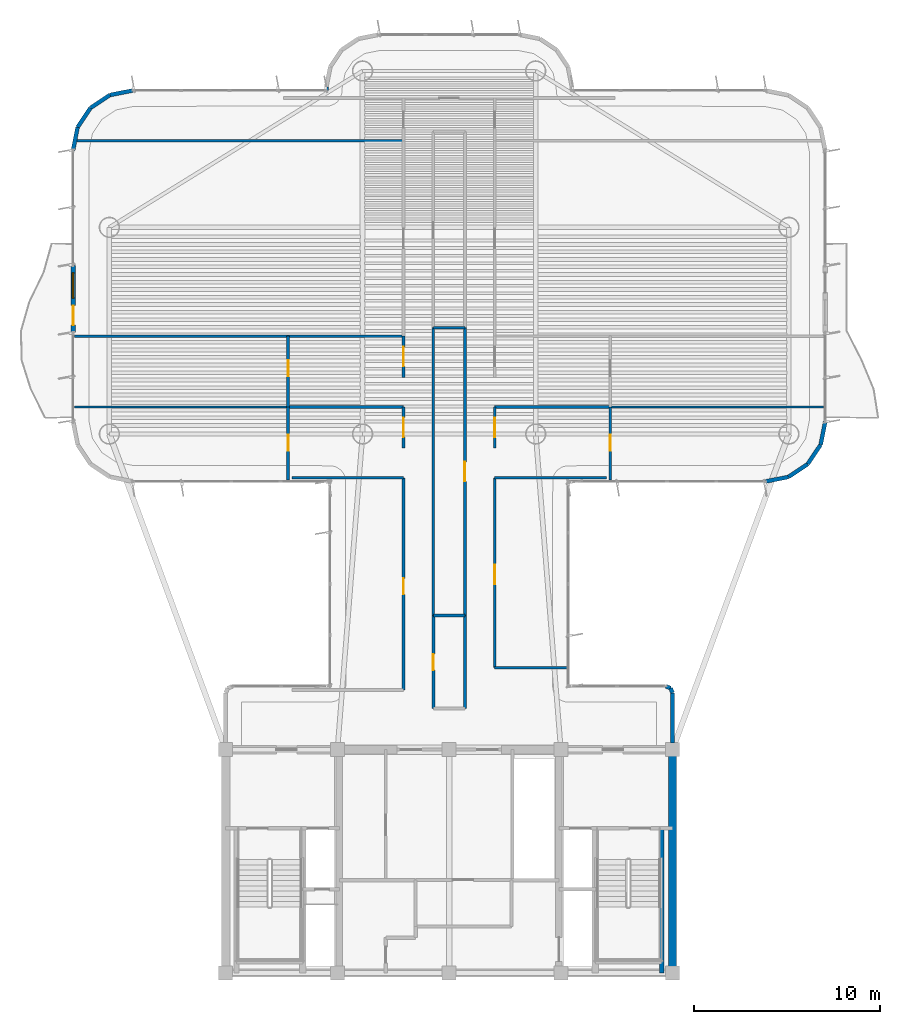
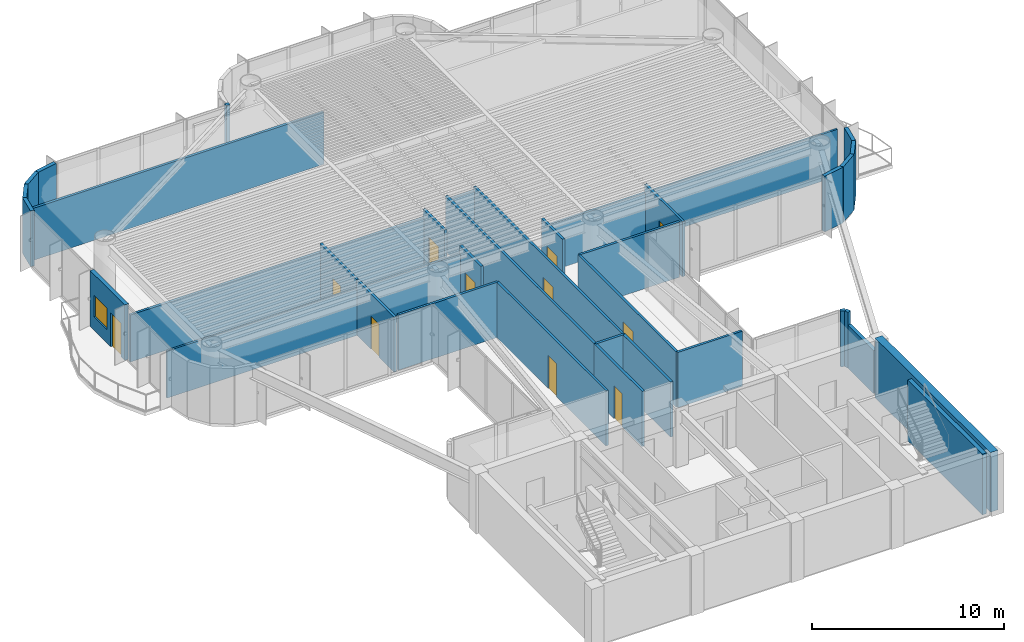
# One storey, part 10 of 14: 38 walls, 11 doors, 1 window, 12 openings.
"""IFC4 building model written with IfcOpenShell, lengths in metres."""

from ifc_helpers import new_model, si_unit, direction, frame, frame_2d, origin, origin_2d, place, context, subcontext, project, spatial, rectangle, extrude, source, transform, mapped, material, layer, layer_set, type_object, element, fill, save


model = new_model("IFC4")

# Units and contexts
model_context = context("Model", 3, precision=1e-05, world=origin(), true_north=direction((0.0, 1.0)))
body_context = subcontext(model_context, "Body", "Model", "MODEL_VIEW")
ifc_project = project(units=[si_unit("LENGTHUNIT", "METRE"), si_unit("AREAUNIT", "SQUARE_METRE"), si_unit("VOLUMEUNIT", "CUBIC_METRE"), si_unit("PLANEANGLEUNIT", "RADIAN"), si_unit("MASSUNIT", "GRAM", prefix="KILO")], contexts=[model_context])

# Site, building, storey
site_placement = place(None, origin())
site = spatial("IfcSite", under=ifc_project, at=site_placement, CompositionType="ELEMENT")
building_placement = place(site_placement, origin())
building = spatial("IfcBuilding", under=site, at=building_placement, Name="Brelvock Crest Care Tower", CompositionType="ELEMENT")
storey_placement = place(building_placement, frame((0.0, 0.0, 175.320068359375)))
storey = spatial("IfcBuildingStorey", under=building, at=storey_placement, Name="L44", CompositionType="ELEMENT", Elevation=175.320068359375)

# Walls
ifc_material_1 = material(Name="Concrete S65 (65 MPa)", Category="concrete")
ifc_layer_1 = layer(ifc_material_1, 0.449951171875, Name="WL-CS3")
ifc_layer_set_1 = layer_set([ifc_layer_1], Name="Concrete S65 (65 MPa)")
wall_type_1 = type_object("IfcWallType", Name="WL-CS3", PredefinedType="SHEAR", material=ifc_layer_set_1)
wall_1_placement = place(storey_placement, frame((48.0, 18.0, 0.0), z_axis=(0.0, 0.0, 1.0), x_axis=(0.0, -1.0, 0.0)))
element("IfcWall", 1, at=wall_1_placement, inside=storey, type_object=wall_type_1, Name="L44 Core East Shear Wall", PredefinedType="SHEAR", context=body_context, shape_type="SweptSolid", body=[
    extrude(rectangle(XDim=12.0, YDim=0.449951171875, at=frame_2d((6.0, 0.0))), origin(), (0.0, 0.0, 1.0), 3.780029296875),
])
ifc_material_2 = material(Name="Concrete S80 (80 MPa)", Category="concrete")
ifc_layer_2 = layer(ifc_material_2, 0.25, Name="WL-CS6")
ifc_layer_set_2 = layer_set([ifc_layer_2], Name="Concrete S80 (80 MPa)")
wall_type_2 = type_object("IfcWallType", Name="WL-CS6", PredefinedType="SHEAR", material=ifc_layer_set_2)
wall_2_placement = place(storey_placement, frame((47.419921875, 6.0, 0.0), z_axis=(0.0, 0.0, 1.0), x_axis=(0.0, 1.0, 0.0)))
element("IfcWall", 2, at=wall_2_placement, inside=storey, type_object=wall_type_2, Name="L44 Core Stair ST-2 East Shear Wall", PredefinedType="SHEAR", context=body_context, shape_type="SweptSolid", body=[
    extrude(rectangle(XDim=7.780029296875, YDim=0.25, at=frame_2d((3.89013671875, 0.0))), origin(), (0.0, 0.0, 1.0), 3.849853515625),
])

# Wall, openings, door, window
ifc_material_3 = material(Name="Precast concrete N40 (40 MPa)", Category="concrete")
ifc_layer_3 = layer(ifc_material_3, 0.239990234375, Name="WL-EX1")
ifc_layer_set_3 = layer_set([ifc_layer_3], Name="Precast concrete N40 (40 MPa)")
wall_type_3 = type_object("IfcWallType", Name="WL-EX1", PredefinedType="SOLIDWALL", material=ifc_layer_set_3)
wall_3_placement = place(storey_placement, frame((15.800048828125, 40.39990234375, 0.0), z_axis=(0.0, 0.0, 1.0), x_axis=(0.0, 1.0, 0.0)))
wall_3 = element("IfcWall", 3, at=wall_3_placement, inside=storey, type_object=wall_type_3, Name="L44 Exterior Spandrel Wall WL-BAL-L44-W", PredefinedType="SOLIDWALL", context=body_context, shape_type="SweptSolid", body=[
    extrude(rectangle(XDim=3.60009765625, YDim=0.239990234375, at=frame_2d((1.800048828125, 0.0))), origin(), (0.0, 0.0, 1.0), 3.530029296875),
])
opening_1_placement = place(wall_3_placement, frame((0.39990234375, 0.0, 0.0)))
opening_1 = element("IfcOpeningElement", 4, at=opening_1_placement, cuts=wall_3, Name="Opening BD-1", PredefinedType="OPENING", context=body_context, shape_type="SweptSolid", body=[
    extrude(rectangle(XDim=1.050048828125, YDim=2.14990234375, at=origin_2d()), frame((0.52490234375, 0.1298828125, 1.074951171875), z_axis=(0.0, -1.0, 0.0), x_axis=(1.0, 0.0, 0.0)), (0.0, 0.0, 1.0), 0.260009765625),
])
opening_2_placement = place(wall_3_placement, frame((1.85009765625, 0.0, 0.85009765625)))
opening_2 = element("IfcOpeningElement", 5, at=opening_2_placement, cuts=wall_3, Name="Opening W-01", PredefinedType="OPENING", context=body_context, shape_type="SweptSolid", body=[
    extrude(rectangle(XDim=1.35009765625, YDim=1.35009765625, at=origin_2d()), frame((0.675048828125, 0.1298828125, 0.675048828125), z_axis=(0.0, -1.0, 0.0), x_axis=(1.0, 0.0, 0.0)), (0.0, 0.0, 1.0), 0.260009765625),
])
ifc_material_4 = material(Name="Dark Glass Double Glazed Low-E", Category="glass")
door_type_1 = type_object("IfcDoorType", Name="DR-BAL1", OperationType="NOTDEFINED", PredefinedType="DOOR", material=ifc_material_4)
shared_shape_1 = source(origin(), body_context, "Body", "SweptSolid", [
    extrude(rectangle(XDim=1.050048828125, YDim=2.14990234375, at=origin_2d()), frame((0.52490234375, 0.02490234375, 1.074951171875), z_axis=(0.0, -1.0, 0.0), x_axis=(1.0, 0.0, 0.0)), (0.0, 0.0, 1.0), 0.050048828125),
])
door_1_placement = place(opening_1_placement, origin())
door_1 = element("IfcDoor", 6, at=door_1_placement, inside=storey, type_object=door_type_1, Name="L44 W Wave Balcony Glazed Door", OperationType="SINGLE_SWING_LEFT", OverallHeight=2.14990234375, OverallWidth=1.050048828125, PredefinedType="DOOR", context=body_context, shape_type="MappedRepresentation", body=[
    mapped(shared_shape_1, transform((0.0, 0.0, 0.0), x_axis=(1.0, 0.0, 0.0), y_axis=(0.0, 1.0, 0.0), z_axis=(0.0, 0.0, 1.0), scale=1.0)),
])
fill(opening_1, door_1)
window_type = type_object("IfcWindowType", Name="WN-EX1", PartitioningType="SINGLE_PANEL", PredefinedType="WINDOW", material=ifc_material_4)
shared_shape_2 = source(origin(), body_context, "Body", "SweptSolid", [
    extrude(rectangle(XDim=1.35009765625, YDim=1.35009765625, at=origin_2d()), frame((0.675048828125, 0.030029296875, 0.675048828125), z_axis=(0.0, -1.0, 0.0), x_axis=(1.0, 0.0, 0.0)), (0.0, 0.0, 1.0), 0.06005859375),
])
window_placement = place(opening_2_placement, origin())
window = element("IfcWindow", 7, at=window_placement, inside=storey, type_object=window_type, Name="L44 W Suite Casement Window", OverallHeight=1.35009765625, OverallWidth=1.35009765625, PartitioningType="SINGLE_PANEL", PredefinedType="WINDOW", context=body_context, shape_type="MappedRepresentation", body=[
    mapped(shared_shape_2, transform((0.0, 0.0, 0.0), x_axis=(1.0, 0.0, 0.0), y_axis=(0.0, 1.0, 0.0), z_axis=(0.0, 0.0, 1.0), scale=1.0)),
])
fill(opening_2, window)

# Walls
ifc_layer_4 = layer(ifc_material_3, 0.215087890625, Name="WL-EX2")
ifc_layer_set_4 = layer_set([ifc_layer_4], Name="Precast concrete N40 (40 MPa)")
wall_type_4 = type_object("IfcWallType", Name="WL-EX2", PredefinedType="SOLIDWALL", material=ifc_layer_set_4)
wall_4_placement = place(storey_placement, frame((47.8974609375, 21.297607421875, 0.0), z_axis=(0.0, 0.0, 1.0), x_axis=(0.382673670509, -0.923883575944, 0.0)))
element("IfcWall", 8, at=wall_4_placement, inside=storey, type_object=wall_type_4, Name="L44 Rounded Corner Wall 00", PredefinedType="SOLIDWALL", context=body_context, shape_type="SweptSolid", body=[
    extrude(rectangle(XDim=0.26806640625, YDim=0.215087890625, at=frame_2d((0.134033203125, 0.0))), origin(), (0.0, 0.0, 1.0), 3.530029296875),
])
wall_5_placement = place(storey_placement, frame((48.0, 21.050048828125, 0.0), z_axis=(0.0, 0.0, 1.0), x_axis=(0.0, -1.0, 0.0)))
element("IfcWall", 9, at=wall_5_placement, inside=storey, type_object=wall_type_4, Name="L44 Rounded Corner Wall 01", PredefinedType="SOLIDWALL", context=body_context, shape_type="SweptSolid", body=[
    extrude(rectangle(XDim=2.695068359375, YDim=0.215087890625, at=frame_2d((1.34765625, 0.0))), origin(), (0.0, 0.0, 1.0), 2.718017578125),
])
for number, where, z_axis, x_axis, name in (
    (10, (15.800048828125, 50.199951171875, 0.0), (0.0, 0.0, 1.0), (0.195138390419, 0.980775717779, 0.0), "L44 Rounded Corner Wall 18"),
    (11, (16.043701171875, 51.424560546875, 0.0), (0.0, 0.0, 1.0), (0.555557312883, 0.831478245117, 0.0), "L44 Rounded Corner Wall 19"),
    (12, (16.7373046875, 52.462646484375, 0.0), (0.0, 0.0, 1.0), (0.831387912822, 0.555692485475, 0.0), "L44 Rounded Corner Wall 20"),
    (13, (17.775390625, 53.156494140625, 0.0), (0.0, 0.0, 1.0), (0.980813122964, 0.194950295773, 0.0), "L44 Rounded Corner Wall 21"),
):
    element("IfcWall", number, at=place(storey_placement, frame(where, z_axis=z_axis, x_axis=x_axis)), inside=storey, type_object=wall_type_4, Name=name, PredefinedType="SOLIDWALL", context=body_context, shape_type="SweptSolid", body=[
        extrude(rectangle(XDim=1.24853515625, YDim=0.215087890625, at=frame_2d((0.624267578125, 0.0))), origin(), (0.0, 0.0, 1.0), 3.530029296875),
    ])
wall_6_placement = place(storey_placement, frame((29.39990234375, 53.39990234375, 0.0), z_axis=(0.0, 0.0, 1.0), x_axis=(0.0, 1.0, 0.0)))
element("IfcWall", 14, at=wall_6_placement, inside=storey, type_object=wall_type_4, Name="L44 Rounded Corner Wall 23", PredefinedType="SOLIDWALL", context=body_context, shape_type="SweptSolid", body=[
    extrude(rectangle(XDim=0.2001953125, YDim=0.215087890625, at=frame_2d((0.10009765625, 0.0))), origin(), (0.0, 0.0, 1.0), 3.530029296875),
])
for number, where, z_axis, x_axis, name in (
    (15, (56.199951171875, 35.60009765625, 0.0), (0.0, 0.0, 1.0), (-0.195138390419, -0.980775717779, 0.0), "L44 Rounded Corner Wall 40"),
    (16, (55.956298828125, 34.37548828125, 0.0), (0.0, 0.0, 1.0), (-0.555557312883, -0.831478245117, 0.0), "L44 Rounded Corner Wall 41"),
    (17, (55.2626953125, 33.33740234375, 0.0), (0.0, 0.0, 1.0), (-0.831387912822, -0.555692485475, 0.0), "L44 Rounded Corner Wall 42"),
    (18, (54.224609375, 32.6435546875, 0.0), (0.0, 0.0, 1.0), (-0.980775717779, -0.195138390419, 0.0), "L44 Rounded Corner Wall 43"),
):
    element("IfcWall", number, at=place(storey_placement, frame(where, z_axis=z_axis, x_axis=x_axis)), inside=storey, type_object=wall_type_4, Name=name, PredefinedType="SOLIDWALL", context=body_context, shape_type="SweptSolid", body=[
        extrude(rectangle(XDim=1.24853515625, YDim=0.215087890625, at=frame_2d((0.624267578125, 0.0))), origin(), (0.0, 0.0, 1.0), 3.530029296875),
    ])
wall_7_placement = place(storey_placement, frame((47.64990234375, 21.39990234375, 0.0), z_axis=(0.0, 0.0, 1.0), x_axis=(0.924205486139, -0.381895560841, 0.0)))
element("IfcWall", 19, at=wall_7_placement, inside=storey, type_object=wall_type_4, Name="L44 Rounded Corner Wall 47", PredefinedType="SOLIDWALL", context=body_context, shape_type="SweptSolid", body=[
    extrude(rectangle(XDim=0.267822265625, YDim=0.215087890625, at=frame_2d((0.1337890625, 0.0))), origin(), (0.0, 0.0, 1.0), 3.530029296875),
])
ifc_material_5 = material(Name="Masonry Blockwork Acoustic Partition", Category="masonry")
ifc_layer_5 = layer(ifc_material_5, 0.14990234375, Name="WL-INT1")
ifc_layer_set_5 = layer_set([ifc_layer_5], Name="Masonry Blockwork Acoustic Partition")
wall_type_5 = type_object("IfcWallType", Name="WL-INT1", PredefinedType="PARTITIONING", material=ifc_layer_set_5)
wall_8_placement = place(storey_placement, frame((38.449951171875, 22.39990234375, 0.0), z_axis=(0.0, 0.0, 1.0), x_axis=(1.0, 0.0, 0.0)))
element("IfcWall", 20, at=wall_8_placement, inside=storey, type_object=wall_type_5, Name="L44 Interior Wall WL-BX-L44-THRE-S", PredefinedType="PARTITIONING", context=body_context, shape_type="SweptSolid", body=[
    extrude(rectangle(XDim=3.8701171875, YDim=0.14990234375, at=frame_2d((1.93505859375, 0.0))), origin(), (0.0, 0.0, 1.0), 3.5),
])
wall_9_placement = place(storey_placement, frame((27.55712890625, 32.60009765625, 0.0), z_axis=(0.0, 0.0, 1.0), x_axis=(1.0, 0.0, 0.0)))
element("IfcWall", 21, at=wall_9_placement, inside=storey, type_object=wall_type_5, Name="L44 Interior Wall WL-BX-L44-CS-WR1A-S", PredefinedType="PARTITIONING", context=body_context, shape_type="SweptSolid", body=[
    extrude(rectangle(XDim=5.992919921875, YDim=0.14990234375, at=frame_2d((2.99658203125, 0.0))), origin(), (0.0, 0.0, 1.0), 3.5),
])
wall_10_placement = place(storey_placement, frame((38.449951171875, 32.60009765625, 0.0), z_axis=(0.0, 0.0, 1.0), x_axis=(1.0, 0.0, 0.0)))
element("IfcWall", 22, at=wall_10_placement, inside=storey, type_object=wall_type_5, Name="L44 Interior Wall WL-BX-L44-CS-ER1A-S", PredefinedType="PARTITIONING", context=body_context, shape_type="SweptSolid", body=[
    extrude(rectangle(XDim=5.993408203125, YDim=0.14990234375, at=frame_2d((2.99658203125, 0.0))), origin(), (0.0, 0.0, 1.0), 3.5),
])
for number, where, z_axis, x_axis, name in (
    (23, (27.35009765625, 36.40087890625, 0.0), (0.0, 0.0, 1.0), (1.0, 0.0, 0.0), "L44 Interior Wall WL-BX-L44-CS-WR1A-N"),
    (24, (38.449951171875, 36.40087890625, 0.0), (0.0, 0.0, 1.0), (1.0, 0.0, 0.0), "L44 Interior Wall WL-BX-L44-CS-ER1A-N"),
):
    element("IfcWall", number, at=place(storey_placement, frame(where, z_axis=z_axis, x_axis=x_axis)), inside=storey, type_object=wall_type_5, Name=name, PredefinedType="PARTITIONING", context=body_context, shape_type="SweptSolid", body=[
        extrude(rectangle(XDim=6.199951171875, YDim=0.14990234375, at=frame_2d((3.10009765625, 0.0))), origin(), (0.0, 0.0, 1.0), 2.98193359375),
    ])
wall_11_placement = place(storey_placement, frame((15.8798828125, 40.201904296875, 0.0), z_axis=(0.0, 0.0, 1.0), x_axis=(1.0, 0.0, 0.0)))
element("IfcWall", 25, at=wall_11_placement, inside=storey, type_object=wall_type_5, Name="L44 Interior Wall WL-BX-L44-WRC-S", PredefinedType="PARTITIONING", context=body_context, shape_type="SweptSolid", body=[
    extrude(rectangle(XDim=17.670166015625, YDim=0.14990234375, at=frame_2d((8.8349609375, 0.0))), origin(), (0.0, 0.0, 1.0), 2.98193359375),
])
wall_12_placement = place(storey_placement, frame((35.14990234375, 40.659912109375, 0.0), z_axis=(0.0, 0.0, 1.0), x_axis=(1.0, 0.0, 0.0)))
element("IfcWall", 26, at=wall_12_placement, inside=storey, type_object=wall_type_5, Name="L44 Interior Wall WL-BX-L44-ISKT-S", PredefinedType="PARTITIONING", context=body_context, shape_type="SweptSolid", body=[
    extrude(rectangle(XDim=1.7001953125, YDim=0.14990234375, at=frame_2d((0.85009765625, 0.0))), origin(), (0.0, 0.0, 1.0), 3.259033203125),
])
wall_13_placement = place(storey_placement, frame((15.98095703125, 50.699951171875, 0.0), z_axis=(0.0, 0.0, 1.0), x_axis=(1.0, 0.0, 0.0)))
element("IfcWall", 27, at=wall_13_placement, inside=storey, type_object=wall_type_5, Name="L44 Interior Wall WL-BX-L44-NALW-S", PredefinedType="PARTITIONING", context=body_context, shape_type="SweptSolid", body=[
    extrude(rectangle(XDim=17.569091796875, YDim=0.14990234375, at=frame_2d((8.78466796875, 0.0))), origin(), (0.0, 0.0, 1.0), 3.307861328125),
])

# Wall, opening, door
wall_14_placement = place(storey_placement, frame((27.35009765625, 32.47998046875, 0.0), z_axis=(0.0, 0.0, 1.0), x_axis=(0.0, 1.0, 0.0)))
wall_14 = element("IfcWall", 28, at=wall_14_placement, inside=storey, type_object=wall_type_5, Name="L44 Interior Wall WL-RM-L44-WR1AS", PredefinedType="PARTITIONING", context=body_context, shape_type="SweptSolid", body=[
    extrude(rectangle(XDim=3.9208984375, YDim=0.14990234375, at=frame_2d((1.96044921875, 0.0))), origin(), (0.0, 0.0, 1.0), 3.5),
])
opening_3_placement = place(wall_14_placement, frame((1.56005859375, 0.0, 0.0)))
opening_3 = element("IfcOpeningElement", 29, at=opening_3_placement, cuts=wall_14, Name="Opening ID-1", PredefinedType="OPENING", context=body_context, shape_type="SweptSolid", body=[
    extrude(rectangle(XDim=0.860107421875, YDim=2.10009765625, at=origin_2d()), frame((0.43017578125, 0.0849609375, 1.050048828125), z_axis=(0.0, -1.0, 0.0), x_axis=(1.0, 0.0, 0.0)), (0.0, 0.0, 1.0), 0.169921875),
])
ifc_material_6 = material(Name="Engineered Hardwood Timber", Category="wood")
door_type_2 = type_object("IfcDoorType", Name="DR-INT1", OperationType="NOTDEFINED", PredefinedType="DOOR", material=ifc_material_6)
shared_shape_3 = source(origin(), body_context, "Body", "SweptSolid", [
    extrude(rectangle(XDim=0.860107421875, YDim=2.10009765625, at=origin_2d()), frame((0.43017578125, 0.02490234375, 1.050048828125), z_axis=(0.0, -1.0, 0.0), x_axis=(1.0, 0.0, 0.0)), (0.0, 0.0, 1.0), 0.050048828125),
])
door_2_placement = place(opening_3_placement, origin())
door_2 = element("IfcDoor", 30, at=door_2_placement, inside=storey, type_object=door_type_2, Name="L44 Rehab Recovery Mobility Store Door WR1AS", OperationType="SINGLE_SWING_LEFT", OverallHeight=2.10009765625, OverallWidth=0.860107421875, PredefinedType="DOOR", context=body_context, shape_type="MappedRepresentation", body=[
    mapped(shared_shape_3, transform((0.0, 0.0, 0.0), x_axis=(1.0, 0.0, 0.0), y_axis=(0.0, 1.0, 0.0), z_axis=(0.0, 0.0, 1.0), scale=1.0)),
])
fill(opening_3, door_2)

wall_15_placement = place(storey_placement, frame((27.35009765625, 36.40087890625, 0.0), z_axis=(0.0, 0.0, 1.0), x_axis=(0.0, 1.0, 0.0)))
wall_15 = element("IfcWall", 31, at=wall_15_placement, inside=storey, type_object=wall_type_5, Name="L44 Interior Wall WL-RM-L44-WR1BS", PredefinedType="PARTITIONING", context=body_context, shape_type="SweptSolid", body=[
    extrude(rectangle(XDim=3.801025390625, YDim=0.14990234375, at=frame_2d((1.900390625, 0.0))), origin(), (0.0, 0.0, 1.0), 3.5),
])
opening_4_placement = place(wall_15_placement, frame((1.638916015625, 0.0, 0.0)))
opening_4 = element("IfcOpeningElement", 32, at=opening_4_placement, cuts=wall_15, Name="Opening ID-1", PredefinedType="OPENING", context=body_context, shape_type="SweptSolid", body=[
    extrude(rectangle(XDim=0.860107421875, YDim=2.10009765625, at=origin_2d()), frame((0.43017578125, 0.0849609375, 1.050048828125), z_axis=(0.0, -1.0, 0.0), x_axis=(1.0, 0.0, 0.0)), (0.0, 0.0, 1.0), 0.169921875),
])
door_3_placement = place(opening_4_placement, origin())
door_3 = element("IfcDoor", 33, at=door_3_placement, inside=storey, type_object=door_type_2, Name="L44 Rehab Recovery Mobility Store Door WR1BS", OperationType="SINGLE_SWING_LEFT", OverallHeight=2.10009765625, OverallWidth=0.860107421875, PredefinedType="DOOR", context=body_context, shape_type="MappedRepresentation", body=[
    mapped(shared_shape_3, transform((0.0, 0.0, 0.0), x_axis=(1.0, 0.0, 0.0), y_axis=(0.0, 1.0, 0.0), z_axis=(0.0, 0.0, 1.0), scale=1.0)),
])
fill(opening_4, door_3)

wall_16_placement = place(storey_placement, frame((33.550048828125, 21.199951171875, 0.0), z_axis=(0.0, 0.0, 1.0), x_axis=(0.0, 1.0, 0.0)))
wall_16 = element("IfcWall", 34, at=wall_16_placement, inside=storey, type_object=wall_type_5, Name="L44 Interior Wall WL-RM-L44-THRW", PredefinedType="PARTITIONING", context=body_context, shape_type="SweptSolid", body=[
    extrude(rectangle(XDim=11.400146484375, YDim=0.14990234375, at=frame_2d((5.7001953125, 0.0))), origin(), (0.0, 0.0, 1.0), 3.5),
])
opening_5_placement = place(wall_16_placement, frame((5.139892578125, 0.0, 0.0)))
opening_5 = element("IfcOpeningElement", 35, at=opening_5_placement, cuts=wall_16, Name="Opening ID-1", PredefinedType="OPENING", context=body_context, shape_type="SweptSolid", body=[
    extrude(rectangle(XDim=0.860107421875, YDim=2.10009765625, at=origin_2d()), frame((0.43017578125, 0.0849609375, 1.050048828125), z_axis=(0.0, -1.0, 0.0), x_axis=(1.0, 0.0, 0.0)), (0.0, 0.0, 1.0), 0.169921875),
])
door_4_placement = place(opening_5_placement, origin())
door_4 = element("IfcDoor", 36, at=door_4_placement, inside=storey, type_object=door_type_2, Name="L44 Quiet Family Consultation Room Door THRW", OperationType="SINGLE_SWING_LEFT", OverallHeight=2.10009765625, OverallWidth=0.860107421875, PredefinedType="DOOR", context=body_context, shape_type="MappedRepresentation", body=[
    mapped(shared_shape_3, transform((0.0, 0.0, 0.0), x_axis=(1.0, 0.0, 0.0), y_axis=(0.0, 1.0, 0.0), z_axis=(0.0, 0.0, 1.0), scale=1.0)),
])
fill(opening_5, door_4)

wall_17_placement = place(storey_placement, frame((33.550048828125, 34.196044921875, 0.0), z_axis=(0.0, 0.0, 1.0), x_axis=(0.0, 1.0, 0.0)))
wall_17 = element("IfcWall", 37, at=wall_17_placement, inside=storey, type_object=wall_type_5, Name="L44 Interior Wall WL-CENT-L44-WR1A", PredefinedType="PARTITIONING", context=body_context, shape_type="SweptSolid", body=[
    extrude(rectangle(XDim=2.204833984375, YDim=0.14990234375, at=frame_2d((1.1025390625, 0.0))), origin(), (0.0, 0.0, 1.0), 3.5),
])
opening_6_placement = place(wall_17_placement, frame((0.5830078125, 0.0, 0.0)))
opening_6 = element("IfcOpeningElement", 38, at=opening_6_placement, cuts=wall_17, Name="Opening CD-1", PredefinedType="OPENING", context=body_context, shape_type="SweptSolid", body=[
    extrude(rectangle(XDim=1.050048828125, YDim=2.10009765625, at=origin_2d()), frame((0.52490234375, 0.0849609375, 1.050048828125), z_axis=(0.0, -1.0, 0.0), x_axis=(1.0, 0.0, 0.0)), (0.0, 0.0, 1.0), 0.169921875),
])
door_type_3 = type_object("IfcDoorType", Name="DR-CARE1", OperationType="NOTDEFINED", PredefinedType="DOOR", material=ifc_material_6)
shared_shape_4 = source(origin(), body_context, "Body", "SweptSolid", [
    extrude(rectangle(XDim=1.050048828125, YDim=2.10009765625, at=origin_2d()), frame((0.52490234375, 0.02490234375, 1.050048828125), z_axis=(0.0, -1.0, 0.0), x_axis=(1.0, 0.0, 0.0)), (0.0, 0.0, 1.0), 0.050048828125),
])
door_5_placement = place(opening_6_placement, origin())
door_5 = element("IfcDoor", 39, at=door_5_placement, inside=storey, type_object=door_type_3, Name="L44 Care Suite Door WR1A", OperationType="SINGLE_SWING_LEFT", OverallHeight=2.10009765625, OverallWidth=1.050048828125, PredefinedType="DOOR", context=body_context, shape_type="MappedRepresentation", body=[
    mapped(shared_shape_4, transform((0.0, 0.0, 0.0), x_axis=(1.0, 0.0, 0.0), y_axis=(0.0, 1.0, 0.0), z_axis=(0.0, 0.0, 1.0), scale=1.0)),
])
fill(opening_6, door_5)

wall_18_placement = place(storey_placement, frame((33.550048828125, 37.9970703125, 0.0), z_axis=(0.0, 0.0, 1.0), x_axis=(0.0, 1.0, 0.0)))
wall_18 = element("IfcWall", 40, at=wall_18_placement, inside=storey, type_object=wall_type_5, Name="L44 Interior Wall WL-CENT-L44-WR1B", PredefinedType="PARTITIONING", context=body_context, shape_type="SweptSolid", body=[
    extrude(rectangle(XDim=2.204833984375, YDim=0.14990234375, at=frame_2d((1.1025390625, 0.0))), origin(), (0.0, 0.0, 1.0), 3.5),
])
opening_7_placement = place(wall_18_placement, frame((0.58203125, 0.0, 0.0)))
opening_7 = element("IfcOpeningElement", 41, at=opening_7_placement, cuts=wall_18, Name="Opening CD-1", PredefinedType="OPENING", context=body_context, shape_type="SweptSolid", body=[
    extrude(rectangle(XDim=1.050048828125, YDim=2.10009765625, at=origin_2d()), frame((0.52490234375, 0.0849609375, 1.050048828125), z_axis=(0.0, -1.0, 0.0), x_axis=(1.0, 0.0, 0.0)), (0.0, 0.0, 1.0), 0.169921875),
])
door_6_placement = place(opening_7_placement, origin())
door_6 = element("IfcDoor", 42, at=door_6_placement, inside=storey, type_object=door_type_3, Name="L44 Care Suite Door WR1B", OperationType="SINGLE_SWING_LEFT", OverallHeight=2.10009765625, OverallWidth=1.050048828125, PredefinedType="DOOR", context=body_context, shape_type="MappedRepresentation", body=[
    mapped(shared_shape_4, transform((0.0, 0.0, 0.0), x_axis=(1.0, 0.0, 0.0), y_axis=(0.0, 1.0, 0.0), z_axis=(0.0, 0.0, 1.0), scale=1.0)),
])
fill(opening_7, door_6)

# Wall
wall_19_placement = place(storey_placement, frame((35.14990234375, 25.199951171875, 0.0), z_axis=(0.0, 0.0, 1.0), x_axis=(0.0, 1.0, 0.0)))
element("IfcWall", 43, at=wall_19_placement, inside=storey, type_object=wall_type_5, Name="L44 Interior Wall WL-BX-L44-ISNS-W", PredefinedType="PARTITIONING", context=body_context, shape_type="SweptSolid", body=[
    extrude(rectangle(XDim=15.4599609375, YDim=0.14990234375, at=frame_2d((7.72998046875, 0.0))), origin(), (0.0, 0.0, 1.0), 3.5),
])

# Wall, opening, door
wall_20_placement = place(storey_placement, frame((36.85009765625, 25.199951171875, 0.0), z_axis=(0.0, 0.0, 1.0), x_axis=(0.0, 1.0, 0.0)))
wall_20 = element("IfcWall", 44, at=wall_20_placement, inside=storey, type_object=wall_type_5, Name="L44 Interior Wall WL-RM-L44-ISNS", PredefinedType="PARTITIONING", context=body_context, shape_type="SweptSolid", body=[
    extrude(rectangle(XDim=15.4599609375, YDim=0.14990234375, at=frame_2d((7.72998046875, 0.0))), origin(), (0.0, 0.0, 1.0), 3.5),
])
opening_8_placement = place(wall_20_placement, frame((7.205078125, 0.0, 0.0)))
opening_8 = element("IfcOpeningElement", 45, at=opening_8_placement, cuts=wall_20, Name="Opening CLD-1", PredefinedType="OPENING", context=body_context, shape_type="SweptSolid", body=[
    extrude(rectangle(XDim=1.050048828125, YDim=2.10009765625, at=origin_2d()), frame((0.52490234375, 0.0849609375, 1.050048828125), z_axis=(0.0, -1.0, 0.0), x_axis=(1.0, 0.0, 0.0)), (0.0, 0.0, 1.0), 0.169921875),
])
door_type_4 = type_object("IfcDoorType", Name="DR-CLN1", OperationType="NOTDEFINED", PredefinedType="DOOR", material=ifc_material_6)
shared_shape_5 = source(origin(), body_context, "Body", "SweptSolid", [
    extrude(rectangle(XDim=1.050048828125, YDim=2.10009765625, at=origin_2d()), frame((0.52490234375, 0.02490234375, 1.050048828125), z_axis=(0.0, -1.0, 0.0), x_axis=(1.0, 0.0, 0.0)), (0.0, 0.0, 1.0), 0.050048828125),
])
door_7_placement = place(opening_8_placement, origin())
door_7 = element("IfcDoor", 46, at=door_7_placement, inside=storey, type_object=door_type_4, Name="L44 Care Concierge and Triage Station Door ISNS", OperationType="SINGLE_SWING_LEFT", OverallHeight=2.10009765625, OverallWidth=1.050048828125, PredefinedType="DOOR", context=body_context, shape_type="MappedRepresentation", body=[
    mapped(shared_shape_5, transform((0.0, 0.0, 0.0), x_axis=(1.0, 0.0, 0.0), y_axis=(0.0, 1.0, 0.0), z_axis=(0.0, 0.0, 1.0), scale=1.0)),
])
fill(opening_8, door_7)

wall_21_placement = place(storey_placement, frame((38.449951171875, 22.39990234375, 0.0), z_axis=(0.0, 0.0, 1.0), x_axis=(0.0, 1.0, 0.0)))
wall_21 = element("IfcWall", 47, at=wall_21_placement, inside=storey, type_object=wall_type_5, Name="L44 Interior Wall WL-RM-L44-THRE", PredefinedType="PARTITIONING", context=body_context, shape_type="SweptSolid", body=[
    extrude(rectangle(XDim=10.2001953125, YDim=0.14990234375, at=frame_2d((5.10009765625, 0.0))), origin(), (0.0, 0.0, 1.0), 3.5),
])
opening_9_placement = place(wall_21_placement, frame((4.47509765625, 0.0, 0.0)))
opening_9 = element("IfcOpeningElement", 48, at=opening_9_placement, cuts=wall_21, Name="Opening CLD-1", PredefinedType="OPENING", context=body_context, shape_type="SweptSolid", body=[
    extrude(rectangle(XDim=1.050048828125, YDim=2.10009765625, at=origin_2d()), frame((0.52490234375, 0.0849609375, 1.050048828125), z_axis=(0.0, -1.0, 0.0), x_axis=(1.0, 0.0, 0.0)), (0.0, 0.0, 1.0), 0.169921875),
])
door_8_placement = place(opening_9_placement, origin())
door_8 = element("IfcDoor", 49, at=door_8_placement, inside=storey, type_object=door_type_4, Name="L44 Allied Health Therapy Room Door THRE", OperationType="SINGLE_SWING_LEFT", OverallHeight=2.10009765625, OverallWidth=1.050048828125, PredefinedType="DOOR", context=body_context, shape_type="MappedRepresentation", body=[
    mapped(shared_shape_5, transform((0.0, 0.0, 0.0), x_axis=(1.0, 0.0, 0.0), y_axis=(0.0, 1.0, 0.0), z_axis=(0.0, 0.0, 1.0), scale=1.0)),
])
fill(opening_9, door_8)

wall_22_placement = place(storey_placement, frame((38.449951171875, 34.196044921875, 0.0), z_axis=(0.0, 0.0, 1.0), x_axis=(0.0, 1.0, 0.0)))
wall_22 = element("IfcWall", 50, at=wall_22_placement, inside=storey, type_object=wall_type_5, Name="L44 Interior Wall WL-CENT-L44-ER1A", PredefinedType="PARTITIONING", context=body_context, shape_type="SweptSolid", body=[
    extrude(rectangle(XDim=2.204833984375, YDim=0.14990234375, at=frame_2d((1.1025390625, 0.0))), origin(), (0.0, 0.0, 1.0), 3.5),
])
opening_10_placement = place(wall_22_placement, frame((0.5830078125, 0.0, 0.0)))
opening_10 = element("IfcOpeningElement", 51, at=opening_10_placement, cuts=wall_22, Name="Opening CD-1", PredefinedType="OPENING", context=body_context, shape_type="SweptSolid", body=[
    extrude(rectangle(XDim=1.050048828125, YDim=2.10009765625, at=origin_2d()), frame((0.52490234375, 0.0849609375, 1.050048828125), z_axis=(0.0, -1.0, 0.0), x_axis=(1.0, 0.0, 0.0)), (0.0, 0.0, 1.0), 0.169921875),
])
door_9_placement = place(opening_10_placement, origin())
door_9 = element("IfcDoor", 52, at=door_9_placement, inside=storey, type_object=door_type_3, Name="L44 Care Suite Door ER1A", OperationType="SINGLE_SWING_LEFT", OverallHeight=2.10009765625, OverallWidth=1.050048828125, PredefinedType="DOOR", context=body_context, shape_type="MappedRepresentation", body=[
    mapped(shared_shape_4, transform((0.0, 0.0, 0.0), x_axis=(1.0, 0.0, 0.0), y_axis=(0.0, 1.0, 0.0), z_axis=(0.0, 0.0, 1.0), scale=1.0)),
])
fill(opening_10, door_9)

wall_23_placement = place(storey_placement, frame((44.64990234375, 32.47998046875, 0.0), z_axis=(0.0, 0.0, 1.0), x_axis=(0.0, 1.0, 0.0)))
wall_23 = element("IfcWall", 53, at=wall_23_placement, inside=storey, type_object=wall_type_5, Name="L44 Interior Wall WL-RM-L44-ER1AS", PredefinedType="PARTITIONING", context=body_context, shape_type="SweptSolid", body=[
    extrude(rectangle(XDim=3.9208984375, YDim=0.14990234375, at=frame_2d((1.96044921875, 0.0))), origin(), (0.0, 0.0, 1.0), 3.5),
])
opening_11_placement = place(wall_23_placement, frame((1.56005859375, 0.0, 0.0)))
opening_11 = element("IfcOpeningElement", 54, at=opening_11_placement, cuts=wall_23, Name="Opening ID-1", PredefinedType="OPENING", context=body_context, shape_type="SweptSolid", body=[
    extrude(rectangle(XDim=0.860107421875, YDim=2.10009765625, at=origin_2d()), frame((0.43017578125, 0.0849609375, 1.050048828125), z_axis=(0.0, -1.0, 0.0), x_axis=(1.0, 0.0, 0.0)), (0.0, 0.0, 1.0), 0.169921875),
])
door_10_placement = place(opening_11_placement, origin())
door_10 = element("IfcDoor", 55, at=door_10_placement, inside=storey, type_object=door_type_2, Name="L44 Rehab Recovery Mobility Store Door ER1AS", OperationType="SINGLE_SWING_LEFT", OverallHeight=2.10009765625, OverallWidth=0.860107421875, PredefinedType="DOOR", context=body_context, shape_type="MappedRepresentation", body=[
    mapped(shared_shape_3, transform((0.0, 0.0, 0.0), x_axis=(1.0, 0.0, 0.0), y_axis=(0.0, 1.0, 0.0), z_axis=(0.0, 0.0, 1.0), scale=1.0)),
])
fill(opening_11, door_10)

# Walls
ifc_material_7 = material(Name="Gypsum Plasterboard Partition", Category="gypsum")
ifc_layer_6 = layer(ifc_material_7, 0.1201171875, Name="WL-INT2")
ifc_layer_set_6 = layer_set([ifc_layer_6], Name="Gypsum Plasterboard Partition")
wall_type_6 = type_object("IfcWallType", Name="WL-INT2", PredefinedType="PARTITIONING", material=ifc_layer_set_6)
for number, where, z_axis, x_axis, name in (
    (56, (15.8798828125, 36.40087890625, 0.0), (0.0, 0.0, 1.0), (1.0, 0.0, 0.0), "L44 Interior Wall WL-BX-L44-WR1AS-N"),
    (57, (44.64990234375, 36.40087890625, 0.0), (0.0, 0.0, 1.0), (1.0, 0.0, 0.0), "L44 Interior Wall WL-BX-L44-ER1AS-N"),
):
    element("IfcWall", number, at=place(storey_placement, frame(where, z_axis=z_axis, x_axis=x_axis)), inside=storey, type_object=wall_type_6, Name=name, PredefinedType="PARTITIONING", context=body_context, shape_type="SweptSolid", body=[
        extrude(rectangle(XDim=11.47021484375, YDim=0.1201171875, at=frame_2d((5.735107421875, 0.0))), origin(), (0.0, 0.0, 1.0), 2.98193359375),
    ])
ifc_layer_7 = layer(ifc_material_7, 0.159912109375, Name="WL-PLM1")
ifc_layer_set_7 = layer_set([ifc_layer_7], Name="Gypsum Plasterboard Partition")
wall_type_7 = type_object("IfcWallType", Name="WL-PLM1", PredefinedType="PLUMBINGWALL", material=ifc_layer_set_7)
wall_24_placement = place(storey_placement, frame((35.14990234375, 25.199951171875, 0.0), z_axis=(0.0, 0.0, 1.0), x_axis=(1.0, 0.0, 0.0)))
element("IfcWall", 58, at=wall_24_placement, inside=storey, type_object=wall_type_7, Name="L44 Interior Wall WL-BX-L44-ISNS-S", PredefinedType="PLUMBINGWALL", context=body_context, shape_type="SweptSolid", body=[
    extrude(rectangle(XDim=1.7001953125, YDim=0.159912109375, at=frame_2d((0.85009765625, 0.0))), origin(), (0.0, 0.0, 1.0), 3.5),
])

# Wall, opening, door
wall_25_placement = place(storey_placement, frame((35.14990234375, 20.199951171875, 0.0), z_axis=(0.0, 0.0, 1.0), x_axis=(0.0, 1.0, 0.0)))
wall_25 = element("IfcWall", 59, at=wall_25_placement, inside=storey, type_object=wall_type_7, Name="L44 Interior Wall WL-RM-L44-ISWC", PredefinedType="PLUMBINGWALL", context=body_context, shape_type="SweptSolid", body=[
    extrude(rectangle(XDim=5.0, YDim=0.159912109375, at=frame_2d((2.5, 0.0))), origin(), (0.0, 0.0, 1.0), 3.5),
])
opening_12_placement = place(wall_25_placement, frame((2.070068359375, 0.0, 0.0)))
opening_12 = element("IfcOpeningElement", 60, at=opening_12_placement, cuts=wall_25, Name="Opening WD-1", PredefinedType="OPENING", context=body_context, shape_type="SweptSolid", body=[
    extrude(rectangle(XDim=0.860107421875, YDim=2.10009765625, at=origin_2d()), frame((0.43017578125, 0.08984375, 1.050048828125), z_axis=(0.0, -1.0, 0.0), x_axis=(1.0, 0.0, 0.0)), (0.0, 0.0, 1.0), 0.179931640625),
])
door_type_5 = type_object("IfcDoorType", Name="DR-WC1", OperationType="NOTDEFINED", PredefinedType="DOOR", material=ifc_material_6)
shared_shape_6 = source(origin(), body_context, "Body", "SweptSolid", [
    extrude(rectangle(XDim=0.860107421875, YDim=2.10009765625, at=origin_2d()), frame((0.43017578125, 0.02490234375, 1.050048828125), z_axis=(0.0, -1.0, 0.0), x_axis=(1.0, 0.0, 0.0)), (0.0, 0.0, 1.0), 0.050048828125),
])
door_11_placement = place(opening_12_placement, origin())
door_11 = element("IfcDoor", 61, at=door_11_placement, inside=storey, type_object=door_type_5, Name="L44 High-Zone Accessible WC Door ISWC", OperationType="SINGLE_SWING_LEFT", OverallHeight=2.10009765625, OverallWidth=0.860107421875, PredefinedType="DOOR", context=body_context, shape_type="MappedRepresentation", body=[
    mapped(shared_shape_6, transform((0.0, 0.0, 0.0), x_axis=(1.0, 0.0, 0.0), y_axis=(0.0, 1.0, 0.0), z_axis=(0.0, 0.0, 1.0), scale=1.0)),
])
fill(opening_12, door_11)

# Wall
wall_26_placement = place(storey_placement, frame((36.85009765625, 20.199951171875, 0.0), z_axis=(0.0, 0.0, 1.0), x_axis=(0.0, 1.0, 0.0)))
element("IfcWall", 62, at=wall_26_placement, inside=storey, type_object=wall_type_7, Name="L44 Interior Wall WL-BX-L44-ISWC-E", PredefinedType="PLUMBINGWALL", context=body_context, shape_type="SweptSolid", body=[
    extrude(rectangle(XDim=5.0, YDim=0.159912109375, at=frame_2d((2.5, 0.0))), origin(), (0.0, 0.0, 1.0), 3.5),
])

save(model, "model.ifc")
